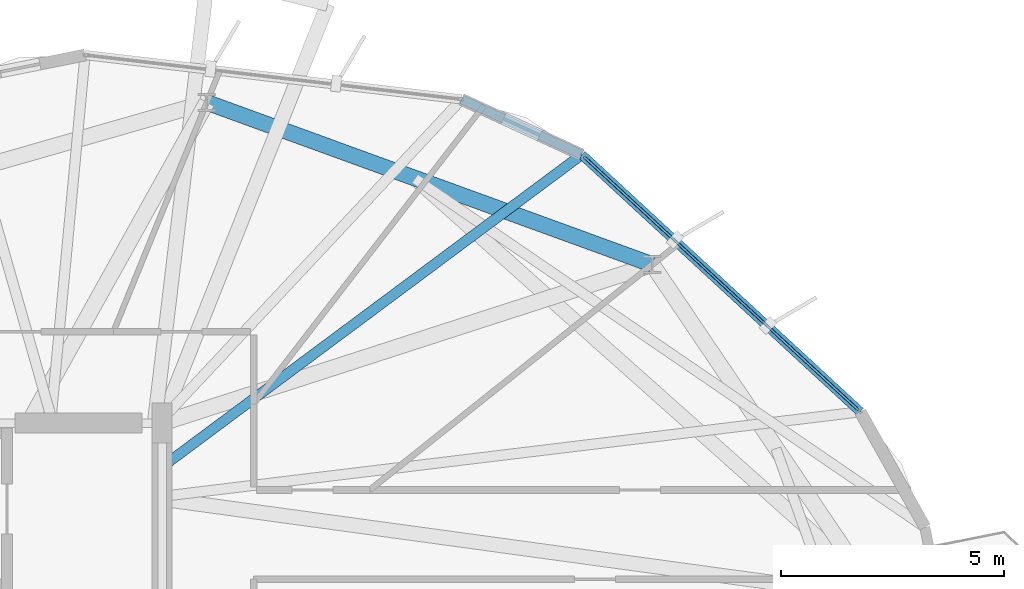
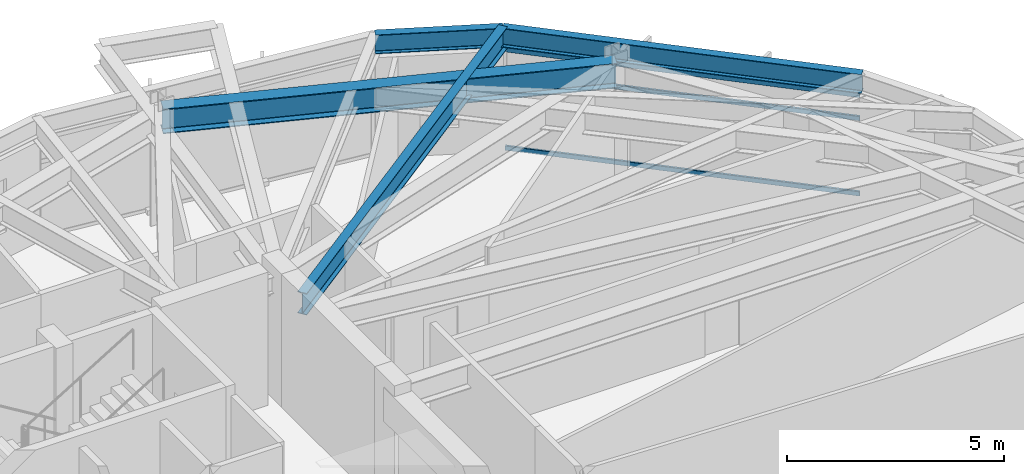
# One storey, part 17 of 25: 4 beams, 3 members, 1 element without a shape of its own.
"""IFC4 building model written with IfcOpenShell, lengths in metres."""

from ifc_helpers import new_model, si_unit, direction, frame, origin, origin_2d, place, context, subcontext, project, spatial, hollow_rectangle, i_section, extrude, material, layer, layer_set, material_profile, profile_set, type_object, element, aggregate, save


model = new_model("IFC4")

# Units and contexts
model_context = context("Model", 3, precision=1e-05, world=origin(), true_north=direction((0.0, 1.0)))
body_context = subcontext(model_context, "Body", "Model", "MODEL_VIEW")
ifc_project = project(units=[si_unit("LENGTHUNIT", "METRE"), si_unit("AREAUNIT", "SQUARE_METRE"), si_unit("VOLUMEUNIT", "CUBIC_METRE"), si_unit("PLANEANGLEUNIT", "RADIAN"), si_unit("MASSUNIT", "GRAM", prefix="KILO")], contexts=[model_context])

# Site, building, storey
site_placement = place(None, origin())
site = spatial("IfcSite", under=ifc_project, at=site_placement, CompositionType="ELEMENT")
building_placement = place(site_placement, origin())
building = spatial("IfcBuilding", under=site, at=building_placement, Name="Soratama Intermodal Tower", CompositionType="ELEMENT")
storey_placement = place(building_placement, frame((0.0, 0.0, 272.5)))
storey = spatial("IfcBuildingStorey", under=building, at=storey_placement, Name="L69", CompositionType="ELEMENT", Elevation=272.5)

# Beams
ifc_material_1 = material(Name="Structural steel ASTM A992 Grade 50", Category="steel")
ifc_material_profile_1 = material_profile(ifc_material_1, i_section(OverallWidth=0.35498046875, OverallDepth=0.695068359375, WebThickness=0.015380859375, FlangeThickness=0.02490234375, FilletRadius=0.01611328125, at=origin_2d()), Name="W27X146")
ifc_profile_set_1 = profile_set([ifc_material_profile_1], Name="Structural steel ASTM A992 Grade 50")
beam_type_1 = type_object("IfcBeamType", Name="BM-RING-W27X146", PredefinedType="BEAM", material=ifc_profile_set_1)
beam_1_placement = place(storey_placement, frame((55.589111328125, 38.553955078125, 3.1025390625), z_axis=(-0.939684073866, 0.342043624883, 0.0), x_axis=(-0.342043624883, -0.939684073866, 0.0)))
element("IfcBeam", 1, at=beam_1_placement, inside=storey, type_object=beam_type_1, Name="BM-L69-RING-02", PredefinedType="BEAM", context=body_context, shape_type="SweptSolid", body=[
    extrude(i_section(OverallWidth=0.35498046875, OverallDepth=0.695068359375, WebThickness=0.015380859375, FlangeThickness=0.02490234375, FilletRadius=0.01611328125, at=origin_2d()), origin(), (0.0, 0.0, 1.0), 10.630126953125),
])
ifc_material_2 = material(Name="Structural steel ASTM A992 Grade 50", Category="steel")
ifc_material_profile_2 = material_profile(ifc_material_2, i_section(OverallWidth=0.2099609375, OverallDepth=0.537109375, WebThickness=0.010986328125, FlangeThickness=0.017333984375, FilletRadius=0.012939453125, at=origin_2d()), Name="W21X68")
ifc_profile_set_2 = profile_set([ifc_material_profile_2], Name="Structural steel ASTM A992 Grade 50")
beam_type_2 = type_object("IfcBeamType", Name="BM-SPN-W21X68", PredefinedType="SPANDREL", material=ifc_profile_set_2)
beam_2_placement = place(storey_placement, frame((60.251953125, 35.2529296875, 3.181396484375), z_axis=(-0.734655853182, 0.678439958571, 0.0), x_axis=(-0.678439958571, -0.734655853182, 0.0)))
element("IfcBeam", 2, at=beam_2_placement, inside=storey, type_object=beam_type_2, Name="BS-L69-F10", PredefinedType="SPANDREL", context=body_context, shape_type="SweptSolid", body=[
    extrude(i_section(OverallWidth=0.2099609375, OverallDepth=0.537109375, WebThickness=0.010986328125, FlangeThickness=0.017333984375, FilletRadius=0.012939453125, at=origin_2d()), origin(), (0.0, 0.0, 1.0), 8.4990234375),
])
beam_3_placement = place(storey_placement, frame((54.008056640625, 41.01904296875, 3.181396484375), z_axis=(-0.90833231235, 0.418249220371, 0.0), x_axis=(-0.418249220371, -0.90833231235, 0.0)))
element("IfcBeam", 3, at=beam_3_placement, inside=storey, type_object=beam_type_2, Name="BS-L69-CRN10", PredefinedType="SPANDREL", context=body_context, shape_type="SweptSolid", body=[
    extrude(i_section(OverallWidth=0.2099609375, OverallDepth=0.537109375, WebThickness=0.010986328125, FlangeThickness=0.017333984375, FilletRadius=0.012939453125, at=origin_2d()), origin(), (0.0, 0.0, 1.0), 2.967041015625),
])
ifc_material_3 = material(Name="Structural steel ASTM A992 Grade 50", Category="steel")
ifc_material_profile_3 = material_profile(ifc_material_3, i_section(OverallWidth=0.22900390625, OverallDepth=0.612060546875, WebThickness=0.011962890625, FlangeThickness=0.01953125, FilletRadius=0.012939453125, at=origin_2d()), Name="W24X84")
ifc_profile_set_3 = profile_set([ifc_material_profile_3], Name="Structural steel ASTM A992 Grade 50")
beam_type_3 = type_object("IfcBeamType", Name="BM-TIE-W24X84", PredefinedType="BEAM", material=ifc_profile_set_3)
beam_4_placement = place(storey_placement, frame((44.632080078125, 34.04296875, 3.14404296875), z_axis=(0.802290458246, 0.596933849441, 0.0), x_axis=(-0.596933849441, 0.802290458246, 0.0)))
element("IfcBeam", 4, at=beam_4_placement, inside=storey, type_object=beam_type_3, Name="BM-L69-TIE1-10", PredefinedType="BEAM", context=body_context, shape_type="SweptSolid", body=[
    extrude(i_section(OverallWidth=0.22900390625, OverallDepth=0.612060546875, WebThickness=0.011962890625, FlangeThickness=0.01953125, FilletRadius=0.012939453125, at=origin_2d()), origin(), (0.0, 0.0, 1.0), 11.6865234375),
])

# Curtain wall, members
ifc_material_4 = material(Name="Double-glazed aluminium curtain wall", Category="aluminium")
ifc_layer = layer(ifc_material_4, 0.159912109375)
ifc_layer_set = layer_set([ifc_layer], Name="Double-glazed aluminium curtain wall")
curtain_wall_type = type_object("IfcCurtainWallType", Name="CW-SYS-5", PredefinedType="NOTDEFINED", material=ifc_layer_set)
curtain_wall_placement = place(storey_placement, origin())
curtain_wall = element("IfcCurtainWall", 5, at=curtain_wall_placement, inside=storey, type_object=curtain_wall_type, Name="L69 Faceted Curtain Wall F10", PredefinedType="NOTDEFINED")
ifc_material_5 = material(Name="Anodised aluminium AA 6063-T6", Category="aluminium")
ifc_material_profile_4 = material_profile(ifc_material_5, hollow_rectangle(XDim=0.06005859375, YDim=0.1298828125, WallThickness=0.0048828125, InnerFilletRadius=0.0048828125, OuterFilletRadius=0.010009765625, at=origin_2d()), Name="CWT130X60X5")
ifc_profile_set_4 = profile_set([ifc_material_profile_4], Name="Anodised aluminium AA 6063-T6")
member_type = type_object("IfcMemberType", Name="TT-CWT-2", PredefinedType="USERDEFINED", material=ifc_profile_set_4)
member_1_placement = place(storey_placement, frame((60.208251953125, 35.29345703125, 0.030029296875), z_axis=(-0.734676097717, 0.678418035906, 0.0), x_axis=(-0.678418035906, -0.734676097717, 0.0)))
member_1 = element("IfcMember", 6, at=member_1_placement, type_object=member_type, Name="CW-5 transom 1.1", ObjectType="TRANSOM", PredefinedType="USERDEFINED", context=body_context, shape_type="SweptSolid", body=[
    extrude(hollow_rectangle(XDim=0.06005859375, YDim=0.1298828125, WallThickness=0.0048828125, InnerFilletRadius=0.0048828125, OuterFilletRadius=0.010009765625, at=origin_2d()), origin(), (0.0, 0.0, 1.0), 8.3798828125),
])
member_2_placement = place(storey_placement, frame((60.208251953125, 35.29345703125, 2.14990234375), z_axis=(-0.734676097717, 0.678418035906, 0.0), x_axis=(-0.678418035906, -0.734676097717, 0.0)))
member_2 = element("IfcMember", 7, at=member_2_placement, type_object=member_type, Name="CW-5 transom 1.2", ObjectType="TRANSOM", PredefinedType="USERDEFINED", context=body_context, shape_type="SweptSolid", body=[
    extrude(hollow_rectangle(XDim=0.06005859375, YDim=0.1298828125, WallThickness=0.0048828125, InnerFilletRadius=0.0048828125, OuterFilletRadius=0.010009765625, at=origin_2d()), origin(), (0.0, 0.0, 1.0), 8.3798828125),
])
member_3_placement = place(storey_placement, frame((60.208251953125, 35.29345703125, 2.799072265625), z_axis=(-0.734676097717, 0.678418035906, 0.0), x_axis=(-0.678418035906, -0.734676097717, 0.0)))
member_3 = element("IfcMember", 8, at=member_3_placement, type_object=member_type, Name="CW-5 transom 1.3", ObjectType="TRANSOM", PredefinedType="USERDEFINED", context=body_context, shape_type="SweptSolid", body=[
    extrude(hollow_rectangle(XDim=0.06005859375, YDim=0.1298828125, WallThickness=0.0048828125, InnerFilletRadius=0.0048828125, OuterFilletRadius=0.010009765625, at=origin_2d()), origin(), (0.0, 0.0, 1.0), 8.3798828125),
])
aggregate(curtain_wall, [member_1, member_2, member_3])

save(model, "model.ifc")
